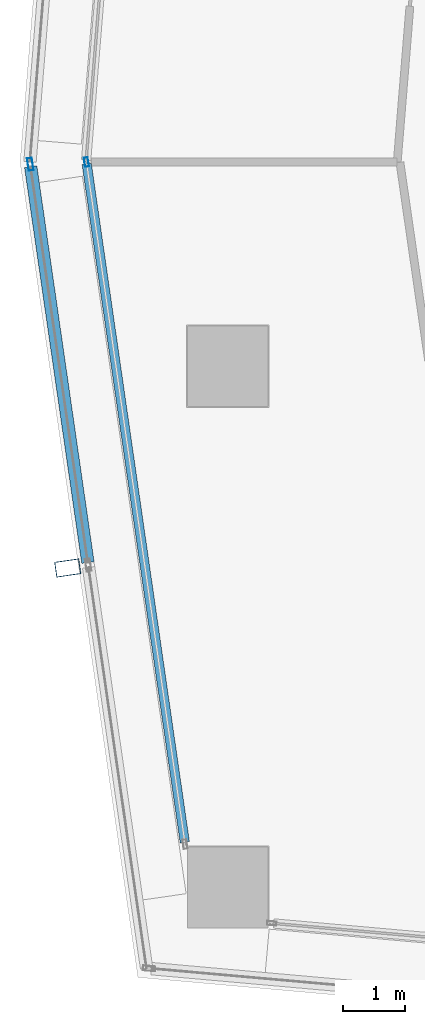
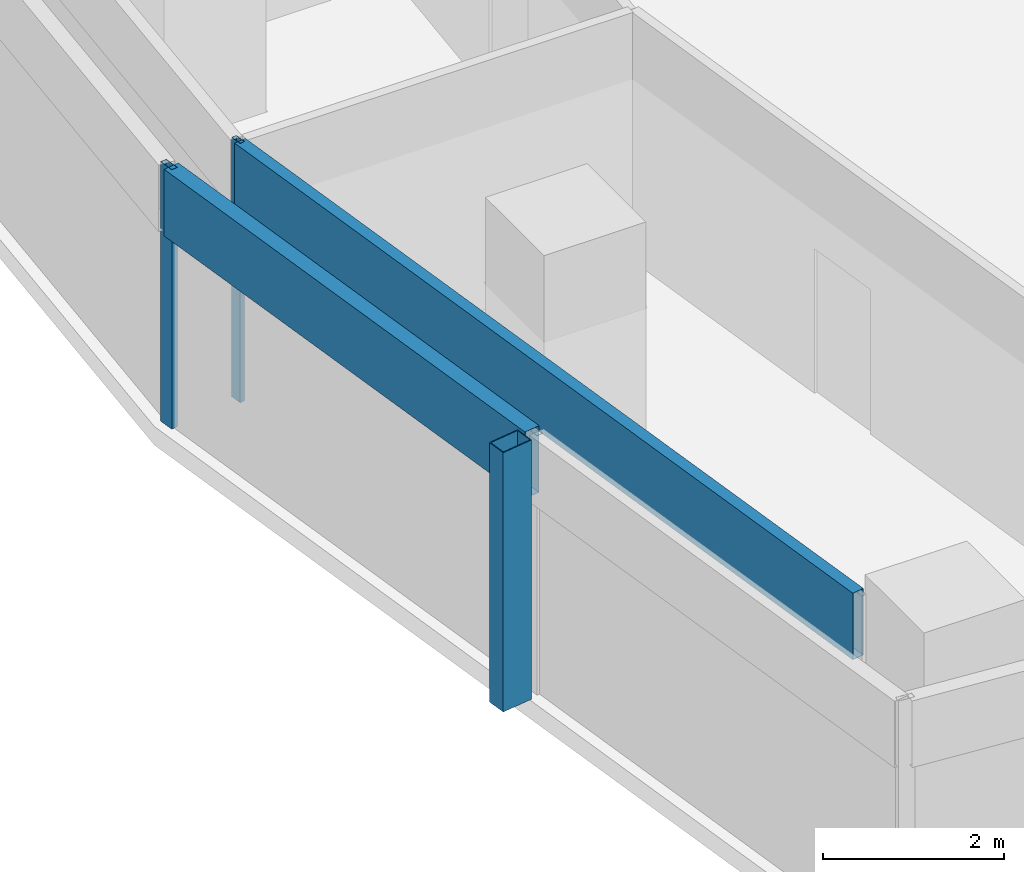
# One storey, part 4 of 29: 5 members, 2 elements without a shape of their own.
"""IFC4 building model written with IfcOpenShell, lengths in metres."""

from ifc_helpers import new_model, si_unit, direction, frame, origin, origin_2d, place, context, subcontext, project, spatial, hollow_rectangle, extrude, material, material_profile, profile_set, type_object, element, aggregate, save


model = new_model("IFC4")

# Units and contexts
model_context = context("Model", 3, precision=1e-05, world=origin(), true_north=direction((0.0, 1.0)))
body_context = subcontext(model_context, "Body", "Model", "MODEL_VIEW")
ifc_project = project(units=[si_unit("LENGTHUNIT", "METRE"), si_unit("AREAUNIT", "SQUARE_METRE"), si_unit("VOLUMEUNIT", "CUBIC_METRE"), si_unit("PLANEANGLEUNIT", "RADIAN"), si_unit("MASSUNIT", "GRAM", prefix="KILO")], contexts=[model_context])

# Site, building, storey
site_placement = place(None, origin())
site = spatial("IfcSite", under=ifc_project, at=site_placement, CompositionType="ELEMENT")
building_placement = place(site_placement, origin())
building = spatial("IfcBuilding", under=site, at=building_placement, Name="Rekha Terrace Tower", CompositionType="ELEMENT")
storey_placement = place(building_placement, frame((0.0, 0.0, 257.60009765625)))
storey = spatial("IfcBuildingStorey", under=building, at=storey_placement, Name="L65", CompositionType="ELEMENT", Elevation=257.60009765625)

# Curtain wall, member
ifc_material_1 = material(Name="Aluminium framing", Category="aluminium")
curtain_wall_type_1 = type_object("IfcCurtainWallType", Name="CW2 double skin outer glazing", PredefinedType="USERDEFINED", material=ifc_material_1)
curtain_wall_1_placement = place(storey_placement, origin())
curtain_wall_1 = element("IfcCurtainWall", 1, at=curtain_wall_1_placement, inside=storey, type_object=curtain_wall_type_1, Name="CW2 double skin outer glazing", ObjectType="DOUBLE SKIN OUTER GLAZING", PredefinedType="USERDEFINED")
ifc_material_2 = material(Name="Steel S355 with fluorocarbon finish", Category="steel")
ifc_material_profile_1 = material_profile(ifc_material_2, hollow_rectangle(XDim=0.25, YDim=0.39990234375, WallThickness=0.012451171875, at=origin_2d()), Name="RHS400x250x12.5")
ifc_profile_set_1 = profile_set([ifc_material_profile_1], Name="Steel S355 with fluorocarbon finish")
member_type_1 = type_object("IfcMemberType", Name="BL1 facade blade RHS 400 x 250", PredefinedType="USERDEFINED", material=ifc_profile_set_1)
member_1_placement = place(storey_placement, frame((5.819091796875, 21.94873046875, 0.0), z_axis=(0.0, 0.0, 1.0), x_axis=(0.143109157841, -0.989706910627, 0.0)))
member_1 = element("IfcMember", 2, at=member_1_placement, type_object=member_type_1, Name="Facade blade", ObjectType="FACADE BLADE", PredefinedType="USERDEFINED", context=body_context, shape_type="SweptSolid", body=[
    extrude(hollow_rectangle(XDim=0.25, YDim=0.39990234375, WallThickness=0.012451171875, at=origin_2d()), origin(), (0.0, 0.0, 1.0), 3.5),
])

# Curtain wall, members
curtain_wall_type_2 = type_object("IfcCurtainWallType", Name="CW1 double skin inner glazing", PredefinedType="USERDEFINED", material=ifc_material_1)
curtain_wall_2_placement = place(storey_placement, origin())
curtain_wall_2 = element("IfcCurtainWall", 3, at=curtain_wall_2_placement, inside=storey, type_object=curtain_wall_type_2, Name="CW1 double skin inner glazing", ObjectType="DOUBLE SKIN INNER GLAZING", PredefinedType="USERDEFINED")
ifc_material_3 = material(Name="Aluminium mullion section", Category="aluminium")
ifc_material_profile_2 = material_profile(ifc_material_3, hollow_rectangle(XDim=0.06494140625, YDim=0.14990234375, WallThickness=0.00390625, at=origin_2d()), Name="AL RHS 65x150")
ifc_profile_set_2 = profile_set([ifc_material_profile_2], Name="Aluminium mullion section")
member_type_2 = type_object("IfcMemberType", Name="CW1 mullion RHS 65 x 150", PredefinedType="MULLION", material=ifc_profile_set_2)
member_2_placement = place(storey_placement, frame((6.120849609375, 28.4912109375, 0.0), z_axis=(0.0, 0.0, 1.0), x_axis=(0.989707031394, 0.143108322643, 0.0)))
member_2 = element("IfcMember", 4, at=member_2_placement, type_object=member_type_2, Name="CW1 mullion 1", PredefinedType="MULLION", context=body_context, shape_type="SweptSolid", body=[
    extrude(hollow_rectangle(XDim=0.06494140625, YDim=0.14990234375, WallThickness=0.00390625, at=origin_2d()), origin(), (0.0, 0.0, 1.0), 3.5),
])
ifc_material_4 = material(Name="Insulated aluminium spandrel box", Category="aluminium")
ifc_material_profile_3 = material_profile(ifc_material_4, hollow_rectangle(XDim=0.14990234375, YDim=0.89990234375, WallThickness=0.0029296875, at=origin_2d()), Name="AL SPANDREL BOX 150x900")
ifc_profile_set_3 = profile_set([ifc_material_profile_3], Name="Insulated aluminium spandrel box")
member_type_3 = type_object("IfcMemberType", Name="CW1 spandrel transom 150 x 900", PredefinedType="USERDEFINED", material=ifc_profile_set_3)
member_3_placement = place(storey_placement, frame((6.12548828125, 28.458984375, 3.0498046875), z_axis=(0.143104894735, -0.989707527052, 0.0), x_axis=(0.989707527052, 0.143104894735, 0.0)))
member_3 = element("IfcMember", 5, at=member_3_placement, type_object=member_type_3, Name="CW1 spandrel transom 1", ObjectType="TRANSOM", PredefinedType="USERDEFINED", context=body_context, shape_type="SweptSolid", body=[
    extrude(hollow_rectangle(XDim=0.14990234375, YDim=0.89990234375, WallThickness=0.0029296875, at=origin_2d()), origin(), (0.0, 0.0, 1.0), 11.043212890625),
])
aggregate(curtain_wall_2, [member_2, member_3])

# Member
ifc_material_profile_4 = material_profile(ifc_material_3, hollow_rectangle(XDim=0.080078125, YDim=0.199951171875, WallThickness=0.00390625, at=origin_2d()), Name="AL RHS 80x200")
ifc_profile_set_4 = profile_set([ifc_material_profile_4], Name="Aluminium mullion section")
member_type_4 = type_object("IfcMemberType", Name="CW2 mullion RHS 80 x 200", PredefinedType="MULLION", material=ifc_profile_set_4)
member_4_placement = place(storey_placement, frame((5.216552734375, 28.455322265625, 0.0), z_axis=(0.0, 0.0, 1.0), x_axis=(0.989707031389, 0.143108322678, 0.0)))
member_4 = element("IfcMember", 6, at=member_4_placement, type_object=member_type_4, Name="CW2 mullion 1", PredefinedType="MULLION", context=body_context, shape_type="SweptSolid", body=[
    extrude(hollow_rectangle(XDim=0.080078125, YDim=0.199951171875, WallThickness=0.00390625, at=origin_2d()), origin(), (0.0, 0.0, 1.0), 3.5),
])

ifc_material_profile_5 = material_profile(ifc_material_4, hollow_rectangle(XDim=0.199951171875, YDim=0.89990234375, WallThickness=0.0029296875, at=origin_2d()), Name="AL SPANDREL BOX 200x900")
ifc_profile_set_5 = profile_set([ifc_material_profile_5], Name="Insulated aluminium spandrel box")
member_type_5 = type_object("IfcMemberType", Name="CW2 spandrel transom 200 x 900", PredefinedType="USERDEFINED", material=ifc_profile_set_5)
member_5_placement = place(storey_placement, frame((5.222412109375, 28.415771484375, 3.0498046875), z_axis=(0.143091438807, -0.989709472593, 0.0), x_axis=(0.989709472593, 0.143091438807, 0.0)))
member_5 = element("IfcMember", 7, at=member_5_placement, type_object=member_type_5, Name="CW2 spandrel transom 1", ObjectType="TRANSOM", PredefinedType="USERDEFINED", context=body_context, shape_type="SweptSolid", body=[
    extrude(hollow_rectangle(XDim=0.199951171875, YDim=0.89990234375, WallThickness=0.0029296875, at=origin_2d()), origin(), (0.0, 0.0, 1.0), 6.446044921875),
])

aggregate(curtain_wall_1, [member_4, member_5, member_1])

save(model, "model.ifc")
